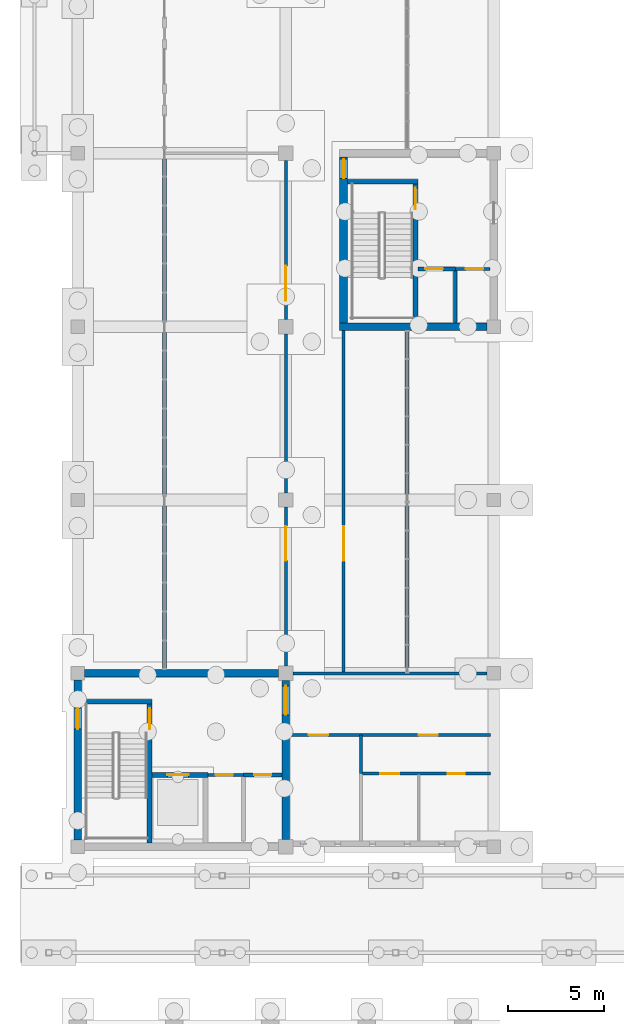
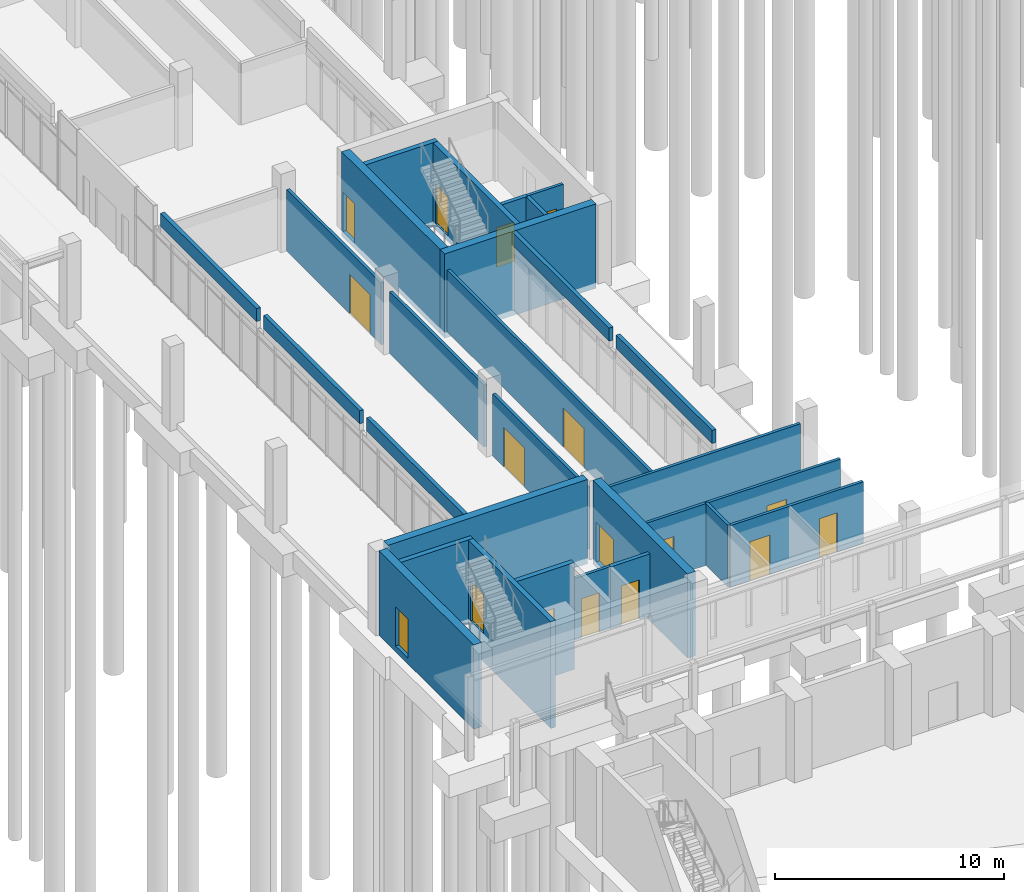
# One storey, part 71 of 106: 28 walls, 17 doors, 17 openings.
"""IFC4 building model written with IfcOpenShell, lengths in metres."""

from ifc_helpers import new_model, si_unit, direction, frame, frame_2d, origin, place, context, subcontext, project, spatial, rectangle, extrude, material, layer, layer_set, type_object, element, fill, save


model = new_model("IFC4")

# Units and contexts
model_context = context("Model", 3, precision=1e-05, world=origin(), true_north=direction((0.0, 1.0)))
body_context = subcontext(model_context, "Body", "Model", "MODEL_VIEW")
ifc_project = project(units=[si_unit("LENGTHUNIT", "METRE"), si_unit("AREAUNIT", "SQUARE_METRE"), si_unit("VOLUMEUNIT", "CUBIC_METRE"), si_unit("PLANEANGLEUNIT", "RADIAN"), si_unit("MASSUNIT", "GRAM", prefix="KILO")], contexts=[model_context])

# Site, building, storey
site_placement = place(None, origin())
site = spatial("IfcSite", under=ifc_project, at=site_placement, CompositionType="ELEMENT")
building_placement = place(site_placement, origin())
building = spatial("IfcBuilding", under=site, at=building_placement, Name="Merrow Basin Faculty of Sciences", CompositionType="ELEMENT")
storey_placement = place(building_placement, origin())
storey = spatial("IfcBuildingStorey", under=building, at=storey_placement, Name="L00", CompositionType="ELEMENT", Elevation=0.0)

# Wall, opening, door
ifc_material_1 = material(Name="Fire-rated gypsum board")
ifc_layer_1 = layer(ifc_material_1, 0.14990234375)
ifc_layer_set_1 = layer_set([ifc_layer_1], Name="Corridor partition 150 fire-rated board on steel studs")
wall_type_1 = type_object("IfcWallType", Name="Corridor partition 150 fire-rated board on steel studs", PredefinedType="PARTITIONING", material=ifc_layer_set_1)
wall_1_placement = place(storey_placement, frame((10.800048828125, 70.375, 0.0), z_axis=(0.0, 0.0, 1.0), x_axis=(0.0, 1.0, 0.0)))
wall_1 = element("IfcWall", 1, at=wall_1_placement, inside=storey, type_object=wall_type_1, Name="IW151 L00 006", PredefinedType="PARTITIONING", context=body_context, shape_type="SweptSolid", body=[
    extrude(rectangle(XDim=8.25, YDim=0.14990234375, at=frame_2d((4.125, 0.0))), origin(), (0.0, 0.0, 1.0), 3.300048828125),
])
opening_1_placement = place(wall_1_placement, frame((5.47509765625, 0.0, 0.0)))
opening_1 = element("IfcOpeningElement", 2, at=opening_1_placement, cuts=wall_1, Name="Opening D00B019", PredefinedType="OPENING", context=body_context, shape_type="SweptSolid", body=[
    extrude(rectangle(XDim=1.800048828125, YDim=2.10009765625, at=frame_2d((0.89990234375, 1.050048828125))), frame((0.0, 0.0849609375, 0.0), z_axis=(0.0, -1.0, 0.0), x_axis=(1.0, 0.0, 0.0)), (0.0, 0.0, 1.0), 0.169921875),
])
ifc_material_2 = material(Name="Glazed aluminium door", Category="aluminium")
door_type_1 = type_object("IfcDoorType", Name="Double swing door 1800 x 2100", OperationType="NOTDEFINED", PredefinedType="DOOR", material=ifc_material_2)
door_1_placement = place(opening_1_placement, origin())
door_1 = element("IfcDoor", 3, at=door_1_placement, inside=storey, type_object=door_type_1, Name="Door D00B019", OperationType="DOUBLE_DOOR_SINGLE_SWING", OverallHeight=2.10009765625, OverallWidth=1.800048828125, PredefinedType="DOOR", context=body_context, shape_type="SweptSolid", body=[
    extrude(rectangle(XDim=1.800048828125, YDim=2.10009765625, at=frame_2d((0.89990234375, 1.050048828125))), frame((0.0, 0.02490234375, 0.0), z_axis=(0.0, -1.0, 0.0), x_axis=(1.0, 0.0, 0.0)), (0.0, 0.0, 1.0), 0.050048828125),
])
fill(opening_1, door_1)

# Wall
wall_2_placement = place(storey_placement, frame((10.800048828125, 79.375, 0.0), z_axis=(0.0, 0.0, 1.0), x_axis=(0.0, 1.0, 0.0)))
element("IfcWall", 4, at=wall_2_placement, inside=storey, type_object=wall_type_1, Name="IW151 L00 007", PredefinedType="PARTITIONING", context=body_context, shape_type="SweptSolid", body=[
    extrude(rectangle(XDim=8.25, YDim=0.14990234375, at=frame_2d((4.125, 0.0))), origin(), (0.0, 0.0, 1.0), 3.300048828125),
])

# Wall, opening, door
wall_3_placement = place(storey_placement, frame((10.800048828125, 88.375, 0.0), z_axis=(0.0, 0.0, 1.0), x_axis=(0.0, 1.0, 0.0)))
wall_3 = element("IfcWall", 5, at=wall_3_placement, inside=storey, type_object=wall_type_1, Name="IW151 L00 008", PredefinedType="PARTITIONING", context=body_context, shape_type="SweptSolid", body=[
    extrude(rectangle(XDim=8.25, YDim=0.14990234375, at=frame_2d((4.125, 0.0))), origin(), (0.0, 0.0, 1.0), 3.300048828125),
])
opening_2_placement = place(wall_3_placement, frame((0.97509765625, 0.0, 0.0)))
opening_2 = element("IfcOpeningElement", 6, at=opening_2_placement, cuts=wall_3, Name="Opening D00B020", PredefinedType="OPENING", context=body_context, shape_type="SweptSolid", body=[
    extrude(rectangle(XDim=1.800048828125, YDim=2.10009765625, at=frame_2d((0.89990234375, 1.050048828125))), frame((0.0, 0.0849609375, 0.0), z_axis=(0.0, -1.0, 0.0), x_axis=(1.0, 0.0, 0.0)), (0.0, 0.0, 1.0), 0.169921875),
])
door_2_placement = place(opening_2_placement, origin())
door_2 = element("IfcDoor", 7, at=door_2_placement, inside=storey, type_object=door_type_1, Name="Door D00B020", OperationType="DOUBLE_DOOR_SINGLE_SWING", OverallHeight=2.10009765625, OverallWidth=1.800048828125, PredefinedType="DOOR", context=body_context, shape_type="SweptSolid", body=[
    extrude(rectangle(XDim=1.800048828125, YDim=2.10009765625, at=frame_2d((0.89990234375, 1.050048828125))), frame((0.0, 0.02490234375, 0.0), z_axis=(0.0, -1.0, 0.0), x_axis=(1.0, 0.0, 0.0)), (0.0, 0.0, 1.0), 0.050048828125),
])
fill(opening_2, door_2)

wall_4_placement = place(storey_placement, frame((13.800048828125, 70.0, 0.0), z_axis=(0.0, 0.0, 1.0), x_axis=(0.0, 1.0, 0.0)))
wall_4 = element("IfcWall", 8, at=wall_4_placement, inside=storey, type_object=wall_type_1, Name="IW151 L00 011", PredefinedType="PARTITIONING", context=body_context, shape_type="SweptSolid", body=[
    extrude(rectangle(XDim=17.800048828125, YDim=0.14990234375, at=frame_2d((8.89990234375, 0.0))), origin(), (0.0, 0.0, 1.0), 3.300048828125),
])
opening_3_placement = place(wall_4_placement, frame((5.85009765625, 0.0, 0.0)))
opening_3 = element("IfcOpeningElement", 9, at=opening_3_placement, cuts=wall_4, Name="Opening D00B018", PredefinedType="OPENING", context=body_context, shape_type="SweptSolid", body=[
    extrude(rectangle(XDim=1.800048828125, YDim=2.10009765625, at=frame_2d((0.89990234375, 1.050048828125))), frame((0.0, 0.0849609375, 0.0), z_axis=(0.0, -1.0, 0.0), x_axis=(1.0, 0.0, 0.0)), (0.0, 0.0, 1.0), 0.169921875),
])
door_3_placement = place(opening_3_placement, origin())
door_3 = element("IfcDoor", 10, at=door_3_placement, inside=storey, type_object=door_type_1, Name="Door D00B018", OperationType="DOUBLE_DOOR_SINGLE_SWING", OverallHeight=2.10009765625, OverallWidth=1.800048828125, PredefinedType="DOOR", context=body_context, shape_type="SweptSolid", body=[
    extrude(rectangle(XDim=1.800048828125, YDim=2.10009765625, at=frame_2d((0.89990234375, 1.050048828125))), frame((0.0, 0.02490234375, 0.0), z_axis=(0.0, -1.0, 0.0), x_axis=(1.0, 0.0, 0.0)), (0.0, 0.0, 1.0), 0.050048828125),
])
fill(opening_3, door_3)

# Wall
wall_5_placement = place(storey_placement, frame((14.699951171875, 64.800048828125, 0.0), z_axis=(0.0, 0.0, 1.0), x_axis=(0.0, 1.0, 0.0)))
element("IfcWall", 11, at=wall_5_placement, inside=storey, type_object=wall_type_1, Name="IW151 L00 013", PredefinedType="PARTITIONING", context=body_context, shape_type="SweptSolid", body=[
    extrude(rectangle(XDim=2.0, YDim=0.14990234375, at=frame_2d((1.0, 0.0))), origin(), (0.0, 0.0, 1.0), 3.300048828125),
])

# Wall, opening, door
wall_6_placement = place(storey_placement, frame((6.75, 64.72509765625, 0.0), z_axis=(0.0, 0.0, 1.0), x_axis=(1.0, 0.0, 0.0)))
wall_6 = element("IfcWall", 12, at=wall_6_placement, inside=storey, type_object=wall_type_1, Name="IW151 L00 014", PredefinedType="PARTITIONING", context=body_context, shape_type="SweptSolid", body=[
    extrude(rectangle(XDim=1.85009765625, YDim=0.14990234375, at=frame_2d((0.925048828125, 0.0))), origin(), (0.0, 0.0, 1.0), 3.300048828125),
])
opening_4_placement = place(wall_6_placement, frame((0.39990234375, 0.0, 0.0)))
opening_4 = element("IfcOpeningElement", 13, at=opening_4_placement, cuts=wall_6, Name="Opening D00B003", PredefinedType="OPENING", context=body_context, shape_type="SweptSolid", body=[
    extrude(rectangle(XDim=0.89990234375, YDim=2.10009765625, at=frame_2d((0.449951171875, 1.050048828125))), frame((0.0, 0.0849609375, 0.0), z_axis=(0.0, -1.0, 0.0), x_axis=(1.0, 0.0, 0.0)), (0.0, 0.0, 1.0), 0.169921875),
])
ifc_material_3 = material(Name="Fire-rated steel door", Category="steel")
door_type_2 = type_object("IfcDoorType", Name="Fire door FD60 900 x 2100", OperationType="NOTDEFINED", PredefinedType="DOOR", material=ifc_material_3)
door_4_placement = place(opening_4_placement, origin())
door_4 = element("IfcDoor", 14, at=door_4_placement, inside=storey, type_object=door_type_2, Name="Door D00B003", OperationType="SINGLE_SWING_LEFT", OverallHeight=2.10009765625, OverallWidth=0.89990234375, PredefinedType="DOOR", context=body_context, shape_type="SweptSolid", body=[
    extrude(rectangle(XDim=0.89990234375, YDim=2.10009765625, at=frame_2d((0.449951171875, 1.050048828125))), frame((0.0, 0.02490234375, 0.0), z_axis=(0.0, -1.0, 0.0), x_axis=(1.0, 0.0, 0.0)), (0.0, 0.0, 1.0), 0.050048828125),
])
fill(opening_4, door_4)

# Wall, openings, doors
wall_7_placement = place(storey_placement, frame((14.699951171875, 64.800048828125, 0.0), z_axis=(0.0, 0.0, 1.0), x_axis=(1.0, 0.0, 0.0)))
wall_7 = element("IfcWall", 15, at=wall_7_placement, inside=storey, type_object=wall_type_1, Name="IW151 L00 015", PredefinedType="PARTITIONING", context=body_context, shape_type="SweptSolid", body=[
    extrude(rectangle(XDim=6.719970703125, YDim=0.14990234375, at=frame_2d((3.35986328125, 0.0))), origin(), (0.0, 0.0, 1.0), 3.300048828125),
])
opening_5_placement = place(wall_7_placement, frame((1.0, 0.0, 0.0)))
opening_5 = element("IfcOpeningElement", 16, at=opening_5_placement, cuts=wall_7, Name="Opening D00B015", PredefinedType="OPENING", context=body_context, shape_type="SweptSolid", body=[
    extrude(rectangle(XDim=1.0, YDim=2.10009765625, at=frame_2d((0.5, 1.050048828125))), frame((0.0, 0.0849609375, 0.0), z_axis=(0.0, -1.0, 0.0), x_axis=(1.0, 0.0, 0.0)), (0.0, 0.0, 1.0), 0.169921875),
])
opening_6_placement = place(wall_7_placement, frame((4.5, 0.0, 0.0)))
opening_6 = element("IfcOpeningElement", 17, at=opening_6_placement, cuts=wall_7, Name="Opening D00B016", PredefinedType="OPENING", context=body_context, shape_type="SweptSolid", body=[
    extrude(rectangle(XDim=0.89990234375, YDim=2.10009765625, at=frame_2d((0.449951171875, 1.050048828125))), frame((0.0, 0.0849609375, 0.0), z_axis=(0.0, -1.0, 0.0), x_axis=(1.0, 0.0, 0.0)), (0.0, 0.0, 1.0), 0.169921875),
])
ifc_material_4 = material(Name="Timber door leaf", Category="wood")
door_type_3 = type_object("IfcDoorType", Name="Accessible door 1000 x 2100", OperationType="NOTDEFINED", PredefinedType="DOOR", material=ifc_material_4)
door_5_placement = place(opening_5_placement, origin())
door_5 = element("IfcDoor", 18, at=door_5_placement, inside=storey, type_object=door_type_3, Name="Door D00B015", OperationType="SINGLE_SWING_LEFT", OverallHeight=2.10009765625, OverallWidth=1.0, PredefinedType="DOOR", context=body_context, shape_type="SweptSolid", body=[
    extrude(rectangle(XDim=1.0, YDim=2.10009765625, at=frame_2d((0.5, 1.050048828125))), frame((0.0, 0.02490234375, 0.0), z_axis=(0.0, -1.0, 0.0), x_axis=(1.0, 0.0, 0.0)), (0.0, 0.0, 1.0), 0.050048828125),
])
fill(opening_5, door_5)
ifc_material_5 = material(Name="Timber door leaf", Category="wood")
door_type_4 = type_object("IfcDoorType", Name="Single swing door 900 x 2100", OperationType="NOTDEFINED", PredefinedType="DOOR", material=ifc_material_5)
door_6_placement = place(opening_6_placement, origin())
door_6 = element("IfcDoor", 19, at=door_6_placement, inside=storey, type_object=door_type_4, Name="Door D00B016", OperationType="SINGLE_SWING_LEFT", OverallHeight=2.10009765625, OverallWidth=0.89990234375, PredefinedType="DOOR", context=body_context, shape_type="SweptSolid", body=[
    extrude(rectangle(XDim=0.89990234375, YDim=2.10009765625, at=frame_2d((0.449951171875, 1.050048828125))), frame((0.0, 0.02490234375, 0.0), z_axis=(0.0, -1.0, 0.0), x_axis=(1.0, 0.0, 0.0)), (0.0, 0.0, 1.0), 0.050048828125),
])
fill(opening_6, door_6)

wall_8_placement = place(storey_placement, frame((11.0, 66.800048828125, 0.0), z_axis=(0.0, 0.0, 1.0), x_axis=(1.0, 0.0, 0.0)))
wall_8 = element("IfcWall", 20, at=wall_8_placement, inside=storey, type_object=wall_type_1, Name="IW151 L00 016", PredefinedType="PARTITIONING", context=body_context, shape_type="SweptSolid", body=[
    extrude(rectangle(XDim=10.419921875, YDim=0.14990234375, at=frame_2d((5.2099609375, 0.0))), origin(), (0.0, 0.0, 1.0), 3.300048828125),
])
opening_7_placement = place(wall_8_placement, frame((1.0, 0.0, 0.0)))
opening_7 = element("IfcOpeningElement", 21, at=opening_7_placement, cuts=wall_8, Name="Opening D00B014", PredefinedType="OPENING", context=body_context, shape_type="SweptSolid", body=[
    extrude(rectangle(XDim=1.0, YDim=2.10009765625, at=frame_2d((0.5, 1.050048828125))), frame((0.0, 0.0849609375, 0.0), z_axis=(0.0, -1.0, 0.0), x_axis=(1.0, 0.0, 0.0)), (0.0, 0.0, 1.0), 0.169921875),
])
opening_8_placement = place(wall_8_placement, frame((6.699951171875, 0.0, 0.0)))
opening_8 = element("IfcOpeningElement", 22, at=opening_8_placement, cuts=wall_8, Name="Opening D00B017", PredefinedType="OPENING", context=body_context, shape_type="SweptSolid", body=[
    extrude(rectangle(XDim=1.0, YDim=2.10009765625, at=frame_2d((0.5, 1.050048828125))), frame((0.0, 0.0849609375, 0.0), z_axis=(0.0, -1.0, 0.0), x_axis=(1.0, 0.0, 0.0)), (0.0, 0.0, 1.0), 0.169921875),
])
ifc_material_6 = material(Name="Fire-rated steel door", Category="steel")
door_type_5 = type_object("IfcDoorType", Name="Fire door FD60 1000 x 2100", OperationType="NOTDEFINED", PredefinedType="DOOR", material=ifc_material_6)
door_7_placement = place(opening_7_placement, origin())
door_7 = element("IfcDoor", 23, at=door_7_placement, inside=storey, type_object=door_type_5, Name="Door D00B014", OperationType="SINGLE_SWING_LEFT", OverallHeight=2.10009765625, OverallWidth=1.0, PredefinedType="DOOR", context=body_context, shape_type="SweptSolid", body=[
    extrude(rectangle(XDim=1.0, YDim=2.10009765625, at=frame_2d((0.5, 1.050048828125))), frame((0.0, 0.02490234375, 0.0), z_axis=(0.0, -1.0, 0.0), x_axis=(1.0, 0.0, 0.0)), (0.0, 0.0, 1.0), 0.050048828125),
])
fill(opening_7, door_7)
ifc_material_7 = material(Name="Timber door leaf", Category="wood")
door_type_6 = type_object("IfcDoorType", Name="Single swing door 1000 x 2100", OperationType="NOTDEFINED", PredefinedType="DOOR", material=ifc_material_7)
door_8_placement = place(opening_8_placement, origin())
door_8 = element("IfcDoor", 24, at=door_8_placement, inside=storey, type_object=door_type_6, Name="Door D00B017", OperationType="SINGLE_SWING_RIGHT", OverallHeight=2.10009765625, OverallWidth=1.0, PredefinedType="DOOR", context=body_context, shape_type="SweptSolid", body=[
    extrude(rectangle(XDim=1.0, YDim=2.10009765625, at=frame_2d((0.5, 1.050048828125))), frame((0.0, 0.02490234375, 0.0), z_axis=(0.0, -1.0, 0.0), x_axis=(1.0, 0.0, 0.0)), (0.0, 0.0, 1.0), 0.050048828125),
])
fill(opening_8, door_8)

# Wall
wall_9_placement = place(storey_placement, frame((11.175048828125, 70.0, 0.0), z_axis=(0.0, 0.0, 1.0), x_axis=(1.0, 0.0, 0.0)))
element("IfcWall", 25, at=wall_9_placement, inside=storey, type_object=wall_type_1, Name="IW151 L00 017", PredefinedType="PARTITIONING", context=body_context, shape_type="SweptSolid", body=[
    extrude(rectangle(XDim=10.074951171875, YDim=0.14990234375, at=frame_2d((5.03759765625, 0.0))), origin(), (0.0, 0.0, 1.0), 3.300048828125),
])

# Wall, opening, door
wall_10_placement = place(storey_placement, frame((19.60009765625, 91.0, 0.0), z_axis=(0.0, 0.0, 1.0), x_axis=(1.0, 0.0, 0.0)))
wall_10 = element("IfcWall", 26, at=wall_10_placement, inside=storey, type_object=wall_type_1, Name="IW151 L00 018", PredefinedType="PARTITIONING", context=body_context, shape_type="SweptSolid", body=[
    extrude(rectangle(XDim=1.7998046875, YDim=0.14990234375, at=frame_2d((0.89990234375, 0.0))), origin(), (0.0, 0.0, 1.0), 3.300048828125),
])
opening_9_placement = place(wall_10_placement, frame((0.550048828125, 0.0, 0.0)))
opening_9 = element("IfcOpeningElement", 27, at=opening_9_placement, cuts=wall_10, Name="Opening D00B010", PredefinedType="OPENING", context=body_context, shape_type="SweptSolid", body=[
    extrude(rectangle(XDim=0.89990234375, YDim=2.10009765625, at=frame_2d((0.449951171875, 1.050048828125))), frame((0.0, 0.0849609375, 0.0), z_axis=(0.0, -1.0, 0.0), x_axis=(1.0, 0.0, 0.0)), (0.0, 0.0, 1.0), 0.169921875),
])
door_9_placement = place(opening_9_placement, origin())
door_9 = element("IfcDoor", 28, at=door_9_placement, inside=storey, type_object=door_type_2, Name="Door D00B010", OperationType="SINGLE_SWING_RIGHT", OverallHeight=2.10009765625, OverallWidth=0.89990234375, PredefinedType="DOOR", context=body_context, shape_type="SweptSolid", body=[
    extrude(rectangle(XDim=0.89990234375, YDim=2.10009765625, at=frame_2d((0.449951171875, 1.050048828125))), frame((0.0, 0.02490234375, 0.0), z_axis=(0.0, -1.0, 0.0), x_axis=(1.0, 0.0, 0.0)), (0.0, 0.0, 1.0), 0.050048828125),
])
fill(opening_9, door_9)

# Walls
ifc_material_8 = material(Name="Precast concrete C40/50", Category="concrete")
ifc_layer_2 = layer(ifc_material_8, 0.199951171875)
ifc_layer_set_2 = layer_set([ifc_layer_2], Name="Recess fascia 200 Precast concrete C40/50")
wall_type_2 = type_object("IfcWallType", Name="Recess fascia 200 Precast concrete C40/50", PredefinedType="STANDARD", material=ifc_layer_set_2)
wall_11_placement = place(storey_placement, frame((4.5, 70.199951171875, 3.5), z_axis=(0.0, 0.0, 1.0), x_axis=(0.0, 1.0, 0.0)))
element("IfcWall", 29, at=wall_11_placement, inside=storey, type_object=wall_type_2, Name="Recess fascia wall", PredefinedType="STANDARD", context=body_context, shape_type="SweptSolid", body=[
    extrude(rectangle(XDim=8.5, YDim=0.199951171875, at=frame_2d((4.25, 0.0))), origin(), (0.0, 0.0, 1.0), 0.699951171875),
])
for number, where, z_axis, x_axis, name in (
    (30, (4.5, 79.300048828125, 3.5), (0.0, 0.0, 1.0), (0.0, 1.0, 0.0), "Recess fascia wall"),
    (31, (4.5, 88.300048828125, 3.5), (0.0, 0.0, 1.0), (0.0, 1.0, 0.0), "Recess fascia wall"),
    (32, (17.10009765625, 70.300048828125, 3.5), (0.0, 0.0, 1.0), (0.0, 1.0, 0.0), "Recess fascia wall"),
):
    element("IfcWall", number, at=place(storey_placement, frame(where, z_axis=z_axis, x_axis=x_axis)), inside=storey, type_object=wall_type_2, Name=name, PredefinedType="STANDARD", context=body_context, shape_type="SweptSolid", body=[
        extrude(rectangle(XDim=8.39990234375, YDim=0.199951171875, at=frame_2d((4.199951171875, 0.0))), origin(), (0.0, 0.0, 1.0), 0.699951171875),
    ])
wall_12_placement = place(storey_placement, frame((17.10009765625, 79.300048828125, 3.5), z_axis=(0.0, 0.0, 1.0), x_axis=(0.0, 1.0, 0.0)))
element("IfcWall", 33, at=wall_12_placement, inside=storey, type_object=wall_type_2, Name="Recess fascia wall", PredefinedType="STANDARD", context=body_context, shape_type="SweptSolid", body=[
    extrude(rectangle(XDim=8.5, YDim=0.199951171875, at=frame_2d((4.25, 0.0))), origin(), (0.0, 0.0, 1.0), 0.699951171875),
])
ifc_material_9 = material(Name="Fire-rated gypsum board")
ifc_layer_3 = layer(ifc_material_9, 0.199951171875)
ifc_layer_set_3 = layer_set([ifc_layer_3], Name="Riser lining 200 fire-rated board on steel studs")
wall_type_3 = type_object("IfcWallType", Name="Riser lining 200 fire-rated board on steel studs", PredefinedType="PARTITIONING", material=ifc_layer_set_3)
wall_13_placement = place(storey_placement, frame((19.60009765625, 88.199951171875, 0.0), z_axis=(0.0, 0.0, 1.0), x_axis=(0.0, 1.0, 0.0)))
element("IfcWall", 34, at=wall_13_placement, inside=storey, type_object=wall_type_3, Name="IW200 L00 002", PredefinedType="PARTITIONING", context=body_context, shape_type="SweptSolid", body=[
    extrude(rectangle(XDim=2.800048828125, YDim=0.199951171875, at=frame_2d((1.39990234375, 0.0))), origin(), (0.0, 0.0, 1.0), 3.300048828125),
])

# Wall, opening, door
wall_14_placement = place(storey_placement, frame((8.60009765625, 64.72509765625, 0.0), z_axis=(0.0, 0.0, 1.0), x_axis=(1.0, 0.0, 0.0)))
wall_14 = element("IfcWall", 35, at=wall_14_placement, inside=storey, type_object=wall_type_3, Name="IW200 L00 003", PredefinedType="PARTITIONING", context=body_context, shape_type="SweptSolid", body=[
    extrude(rectangle(XDim=2.0, YDim=0.199951171875, at=frame_2d((1.0, 0.0))), origin(), (0.0, 0.0, 1.0), 3.300048828125),
])
opening_10_placement = place(wall_14_placement, frame((0.550048828125, 0.0, 0.0)))
opening_10 = element("IfcOpeningElement", 36, at=opening_10_placement, cuts=wall_14, Name="Opening D00B004", PredefinedType="OPENING", context=body_context, shape_type="SweptSolid", body=[
    extrude(rectangle(XDim=0.89990234375, YDim=2.10009765625, at=frame_2d((0.449951171875, 1.050048828125))), frame((0.0, 0.10986328125, 0.0), z_axis=(0.0, -1.0, 0.0), x_axis=(1.0, 0.0, 0.0)), (0.0, 0.0, 1.0), 0.219970703125),
])
door_10_placement = place(opening_10_placement, origin())
door_10 = element("IfcDoor", 37, at=door_10_placement, inside=storey, type_object=door_type_2, Name="Door D00B004", OperationType="SINGLE_SWING_LEFT", OverallHeight=2.10009765625, OverallWidth=0.89990234375, PredefinedType="DOOR", context=body_context, shape_type="SweptSolid", body=[
    extrude(rectangle(XDim=0.89990234375, YDim=2.10009765625, at=frame_2d((0.449951171875, 1.050048828125))), frame((0.0, 0.02490234375, 0.0), z_axis=(0.0, -1.0, 0.0), x_axis=(1.0, 0.0, 0.0)), (0.0, 0.0, 1.0), 0.050048828125),
])
fill(opening_10, door_10)

wall_15_placement = place(storey_placement, frame((17.64990234375, 91.0, 0.0), z_axis=(0.0, 0.0, 1.0), x_axis=(1.0, 0.0, 0.0)))
wall_15 = element("IfcWall", 38, at=wall_15_placement, inside=storey, type_object=wall_type_3, Name="IW200 L00 004", PredefinedType="PARTITIONING", context=body_context, shape_type="SweptSolid", body=[
    extrude(rectangle(XDim=1.9501953125, YDim=0.199951171875, at=frame_2d((0.97509765625, 0.0))), origin(), (0.0, 0.0, 1.0), 3.300048828125),
])
opening_11_placement = place(wall_15_placement, frame((0.39990234375, 0.0, 0.0)))
opening_11 = element("IfcOpeningElement", 39, at=opening_11_placement, cuts=wall_15, Name="Opening D00B009", PredefinedType="OPENING", context=body_context, shape_type="SweptSolid", body=[
    extrude(rectangle(XDim=0.89990234375, YDim=2.10009765625, at=frame_2d((0.449951171875, 1.050048828125))), frame((0.0, 0.10986328125, 0.0), z_axis=(0.0, -1.0, 0.0), x_axis=(1.0, 0.0, 0.0)), (0.0, 0.0, 1.0), 0.219970703125),
])
door_11_placement = place(opening_11_placement, origin())
door_11 = element("IfcDoor", 40, at=door_11_placement, inside=storey, type_object=door_type_2, Name="Door D00B009", OperationType="SINGLE_SWING_LEFT", OverallHeight=2.10009765625, OverallWidth=0.89990234375, PredefinedType="DOOR", context=body_context, shape_type="SweptSolid", body=[
    extrude(rectangle(XDim=0.89990234375, YDim=2.10009765625, at=frame_2d((0.449951171875, 1.050048828125))), frame((0.0, 0.02490234375, 0.0), z_axis=(0.0, -1.0, 0.0), x_axis=(1.0, 0.0, 0.0)), (0.0, 0.0, 1.0), 0.050048828125),
])
fill(opening_11, door_11)

# Wall
ifc_material_10 = material(Name="Concrete C40/50", Category="concrete")
ifc_layer_4 = layer(ifc_material_10, 0.25)
ifc_layer_set_4 = layer_set([ifc_layer_4], Name="Shear wall 250 Concrete C40/50")
wall_type_4 = type_object("IfcWallType", Name="Shear wall 250 Concrete C40/50", PredefinedType="SHEAR", material=ifc_layer_set_4)
wall_16_placement = place(storey_placement, frame((0.199951171875, 68.52490234375, -0.300048828125), z_axis=(0.0, 0.0, 1.0), x_axis=(1.0, 0.0, 0.0)))
element("IfcWall", 41, at=wall_16_placement, inside=storey, type_object=wall_type_4, Name="SW2 L00 005", PredefinedType="SHEAR", context=body_context, shape_type="SweptSolid", body=[
    extrude(rectangle(XDim=3.650146484375, YDim=0.25, at=frame_2d((1.8251953125, 0.0))), origin(), (0.0, 0.0, 1.0), 4.5),
])

# Wall, opening, door
wall_17_placement = place(storey_placement, frame((3.72509765625, 61.199951171875, -1.5), z_axis=(0.0, 0.0, 1.0), x_axis=(0.0, 1.0, 0.0)))
wall_17 = element("IfcWall", 42, at=wall_17_placement, inside=storey, type_object=wall_type_4, Name="SW2 L00 006", PredefinedType="SHEAR", context=body_context, shape_type="SweptSolid", body=[
    extrude(rectangle(XDim=7.199951171875, YDim=0.25, at=frame_2d((3.60009765625, 0.0))), origin(), (0.0, 0.0, 1.0), 5.699951171875),
])
opening_12_placement = place(wall_17_placement, frame((5.89990234375, 0.0, 1.5)))
opening_12 = element("IfcOpeningElement", 43, at=opening_12_placement, cuts=wall_17, Name="Opening D00B001", PredefinedType="OPENING", context=body_context, shape_type="SweptSolid", body=[
    extrude(rectangle(XDim=1.10009765625, YDim=2.10009765625, at=frame_2d((0.550048828125, 1.050048828125))), frame((0.0, 0.135009765625, 0.0), z_axis=(0.0, -1.0, 0.0), x_axis=(1.0, 0.0, 0.0)), (0.0, 0.0, 1.0), 0.27001953125),
])
ifc_material_11 = material(Name="Fire-rated steel door", Category="steel")
door_type_7 = type_object("IfcDoorType", Name="Fire door FD90 1100 x 2100", OperationType="NOTDEFINED", PredefinedType="DOOR", material=ifc_material_11)
door_12_placement = place(opening_12_placement, origin())
door_12 = element("IfcDoor", 44, at=door_12_placement, inside=storey, type_object=door_type_7, Name="Stair S door", OperationType="SINGLE_SWING_RIGHT", OverallHeight=2.10009765625, OverallWidth=1.10009765625, PredefinedType="DOOR", context=body_context, shape_type="SweptSolid", body=[
    extrude(rectangle(XDim=1.10009765625, YDim=2.10009765625, at=frame_2d((0.550048828125, 1.050048828125))), frame((0.0, 0.02490234375, 0.0), z_axis=(0.0, -1.0, 0.0), x_axis=(1.0, 0.0, 0.0)), (0.0, 0.0, 1.0), 0.050048828125),
])
fill(opening_12, door_12)

wall_18_placement = place(storey_placement, frame((3.85009765625, 64.72509765625, -1.5), z_axis=(0.0, 0.0, 1.0), x_axis=(1.0, 0.0, 0.0)))
wall_18 = element("IfcWall", 45, at=wall_18_placement, inside=storey, type_object=wall_type_4, Name="SW2 L00 007", PredefinedType="SHEAR", context=body_context, shape_type="SweptSolid", body=[
    extrude(rectangle(XDim=2.89990234375, YDim=0.25, at=frame_2d((1.449951171875, 0.0))), origin(), (0.0, 0.0, 1.0), 5.699951171875),
])
opening_13_placement = place(wall_18_placement, frame((0.800048828125, 0.0, 1.5)))
opening_13 = element("IfcOpeningElement", 46, at=opening_13_placement, cuts=wall_18, Name="Opening LD00B01", PredefinedType="OPENING", context=body_context, shape_type="SweptSolid", body=[
    extrude(rectangle(XDim=1.10009765625, YDim=2.10009765625, at=frame_2d((0.550048828125, 1.050048828125))), frame((0.0, 0.135009765625, 0.0), z_axis=(0.0, -1.0, 0.0), x_axis=(1.0, 0.0, 0.0)), (0.0, 0.0, 1.0), 0.27001953125),
])
ifc_material_12 = material(Name="Stainless steel sliding door", Category="steel")
door_type_8 = type_object("IfcDoorType", Name="Lift landing door 1100 x 2100 sliding", OperationType="NOTDEFINED", PredefinedType="DOOR", material=ifc_material_12)
door_13_placement = place(opening_13_placement, origin())
door_13 = element("IfcDoor", 47, at=door_13_placement, inside=storey, type_object=door_type_8, Name="Landing door LF1 L00", OperationType="SLIDING_TO_LEFT", OverallHeight=2.10009765625, OverallWidth=1.10009765625, PredefinedType="DOOR", context=body_context, shape_type="SweptSolid", body=[
    extrude(rectangle(XDim=1.10009765625, YDim=2.10009765625, at=frame_2d((0.550048828125, 1.050048828125))), frame((0.0, 0.02490234375, 0.0), z_axis=(0.0, -1.0, 0.0), x_axis=(1.0, 0.0, 0.0)), (0.0, 0.0, 1.0), 0.050048828125),
])
fill(opening_13, door_13)

# Wall
wall_19_placement = place(storey_placement, frame((14.0, 95.52490234375, -0.300048828125), z_axis=(0.0, 0.0, 1.0), x_axis=(1.0, 0.0, 0.0)))
element("IfcWall", 48, at=wall_19_placement, inside=storey, type_object=wall_type_4, Name="SW2 L00 013", PredefinedType="SHEAR", context=body_context, shape_type="SweptSolid", body=[
    extrude(rectangle(XDim=3.64990234375, YDim=0.25, at=frame_2d((1.824951171875, 0.0))), origin(), (0.0, 0.0, 1.0), 4.5),
])

# Wall, opening, door
wall_20_placement = place(storey_placement, frame((17.52490234375, 88.199951171875, -0.300048828125), z_axis=(0.0, 0.0, 1.0), x_axis=(0.0, 1.0, 0.0)))
wall_20 = element("IfcWall", 49, at=wall_20_placement, inside=storey, type_object=wall_type_4, Name="SW2 L00 014", PredefinedType="SHEAR", context=body_context, shape_type="SweptSolid", body=[
    extrude(rectangle(XDim=7.199951171875, YDim=0.25, at=frame_2d((3.60009765625, 0.0))), origin(), (0.0, 0.0, 1.0), 4.5),
])
opening_14_placement = place(wall_20_placement, frame((5.89990234375, 0.0, 0.300048828125)))
opening_14 = element("IfcOpeningElement", 50, at=opening_14_placement, cuts=wall_20, Name="Opening D00B006", PredefinedType="OPENING", context=body_context, shape_type="SweptSolid", body=[
    extrude(rectangle(XDim=1.10009765625, YDim=2.10009765625, at=frame_2d((0.550048828125, 1.050048828125))), frame((0.0, 0.135009765625, 0.0), z_axis=(0.0, -1.0, 0.0), x_axis=(1.0, 0.0, 0.0)), (0.0, 0.0, 1.0), 0.27001953125),
])
door_14_placement = place(opening_14_placement, origin())
door_14 = element("IfcDoor", 51, at=door_14_placement, inside=storey, type_object=door_type_7, Name="Door D00B006", OperationType="SINGLE_SWING_RIGHT", OverallHeight=2.10009765625, OverallWidth=1.10009765625, PredefinedType="DOOR", context=body_context, shape_type="SweptSolid", body=[
    extrude(rectangle(XDim=1.10009765625, YDim=2.10009765625, at=frame_2d((0.550048828125, 1.050048828125))), frame((0.0, 0.02490234375, 0.0), z_axis=(0.0, -1.0, 0.0), x_axis=(1.0, 0.0, 0.0)), (0.0, 0.0, 1.0), 0.050048828125),
])
fill(opening_14, door_14)

# Wall
ifc_material_13 = material(Name="Concrete C40/50", Category="concrete")
ifc_layer_5 = layer(ifc_material_13, 0.39990234375)
ifc_layer_set_5 = layer_set([ifc_layer_5], Name="Shear wall 400 Concrete C40/50")
wall_type_5 = type_object("IfcWallType", Name="Shear wall 400 Concrete C40/50", PredefinedType="SHEAR", material=ifc_layer_set_5)
wall_21_placement = place(storey_placement, frame((0.35009765625, 70.0, -0.300048828125), z_axis=(0.0, 0.0, 1.0), x_axis=(1.0, 0.0, 0.0)))
element("IfcWall", 52, at=wall_21_placement, inside=storey, type_object=wall_type_5, Name="SW1 L00 002", PredefinedType="SHEAR", context=body_context, shape_type="SweptSolid", body=[
    extrude(rectangle(XDim=10.074951171875, YDim=0.39990234375, at=frame_2d((5.03759765625, 0.0))), origin(), (0.0, 0.0, 1.0), 4.5),
])

# Wall, opening, door
wall_22_placement = place(storey_placement, frame((0.0, 61.35009765625, -0.300048828125), z_axis=(0.0, 0.0, 1.0), x_axis=(0.0, 1.0, 0.0)))
wall_22 = element("IfcWall", 53, at=wall_22_placement, inside=storey, type_object=wall_type_5, Name="SW1 L00 003", PredefinedType="SHEAR", context=body_context, shape_type="SweptSolid", body=[
    extrude(rectangle(XDim=8.2998046875, YDim=0.39990234375, at=frame_2d((4.14990234375, 0.0))), origin(), (0.0, 0.0, 1.0), 4.5),
])
opening_15_placement = place(wall_22_placement, frame((5.75, 0.0, 0.300048828125)))
opening_15 = element("IfcOpeningElement", 54, at=opening_15_placement, cuts=wall_22, Name="Opening D00B002", PredefinedType="OPENING", context=body_context, shape_type="SweptSolid", body=[
    extrude(rectangle(XDim=1.10009765625, YDim=2.10009765625, at=frame_2d((0.550048828125, 1.050048828125))), frame((0.0, 0.2099609375, 0.0), z_axis=(0.0, -1.0, 0.0), x_axis=(1.0, 0.0, 0.0)), (0.0, 0.0, 1.0), 0.419921875),
])
door_15_placement = place(opening_15_placement, origin())
door_15 = element("IfcDoor", 55, at=door_15_placement, inside=storey, type_object=door_type_7, Name="Stair S exit door", OperationType="SINGLE_SWING_RIGHT", OverallHeight=2.10009765625, OverallWidth=1.10009765625, PredefinedType="DOOR", context=body_context, shape_type="SweptSolid", body=[
    extrude(rectangle(XDim=1.10009765625, YDim=2.10009765625, at=frame_2d((0.550048828125, 1.050048828125))), frame((0.0, 0.02490234375, 0.0), z_axis=(0.0, -1.0, 0.0), x_axis=(1.0, 0.0, 0.0)), (0.0, 0.0, 1.0), 0.050048828125),
])
fill(opening_15, door_15)

wall_23_placement = place(storey_placement, frame((10.800048828125, 61.375, -0.300048828125), z_axis=(0.0, 0.0, 1.0), x_axis=(0.0, 1.0, 0.0)))
wall_23 = element("IfcWall", 56, at=wall_23_placement, inside=storey, type_object=wall_type_5, Name="SW1 L00 004", PredefinedType="SHEAR", context=body_context, shape_type="SweptSolid", body=[
    extrude(rectangle(XDim=8.25, YDim=0.39990234375, at=frame_2d((4.125, 0.0))), origin(), (0.0, 0.0, 1.0), 4.5),
])
opening_16_placement = place(wall_23_placement, frame((6.47509765625, 0.0, 0.300048828125)))
opening_16 = element("IfcOpeningElement", 57, at=opening_16_placement, cuts=wall_23, Name="Opening D00B005", PredefinedType="OPENING", context=body_context, shape_type="SweptSolid", body=[
    extrude(rectangle(XDim=1.5, YDim=2.10009765625, at=frame_2d((0.75, 1.050048828125))), frame((0.0, 0.2099609375, 0.0), z_axis=(0.0, -1.0, 0.0), x_axis=(1.0, 0.0, 0.0)), (0.0, 0.0, 1.0), 0.419921875),
])
ifc_material_14 = material(Name="Fire-rated steel door", Category="steel")
door_type_9 = type_object("IfcDoorType", Name="Fire door FD60 1500 x 2100", OperationType="NOTDEFINED", PredefinedType="DOOR", material=ifc_material_14)
door_16_placement = place(opening_16_placement, origin())
door_16 = element("IfcDoor", 58, at=door_16_placement, inside=storey, type_object=door_type_9, Name="Door D00B005", OperationType="DOUBLE_DOOR_SINGLE_SWING", OverallHeight=2.10009765625, OverallWidth=1.5, PredefinedType="DOOR", context=body_context, shape_type="SweptSolid", body=[
    extrude(rectangle(XDim=1.5, YDim=2.10009765625, at=frame_2d((0.75, 1.050048828125))), frame((0.0, 0.02490234375, 0.0), z_axis=(0.0, -1.0, 0.0), x_axis=(1.0, 0.0, 0.0)), (0.0, 0.0, 1.0), 0.050048828125),
])
fill(opening_16, door_16)

# Wall
wall_24_placement = place(storey_placement, frame((13.60009765625, 88.0, -0.300048828125), z_axis=(0.0, 0.0, 1.0), x_axis=(1.0, 0.0, 0.0)))
element("IfcWall", 59, at=wall_24_placement, inside=storey, type_object=wall_type_5, Name="SW1 L00 009", PredefinedType="SHEAR", context=body_context, shape_type="SweptSolid", body=[
    extrude(rectangle(XDim=7.64990234375, YDim=0.39990234375, at=frame_2d((3.824951171875, 0.0))), origin(), (0.0, 0.0, 1.0), 4.5),
])

# Wall, opening, door
wall_25_placement = place(storey_placement, frame((13.800048828125, 88.199951171875, -0.300048828125), z_axis=(0.0, 0.0, 1.0), x_axis=(0.0, 1.0, 0.0)))
wall_25 = element("IfcWall", 60, at=wall_25_placement, inside=storey, type_object=wall_type_5, Name="SW1 L00 011", PredefinedType="SHEAR", context=body_context, shape_type="SweptSolid", body=[
    extrude(rectangle(XDim=8.60009765625, YDim=0.39990234375, at=frame_2d((4.300048828125, 0.0))), origin(), (0.0, 0.0, 1.0), 4.5),
])
opening_17_placement = place(wall_25_placement, frame((7.5, 0.0, 0.300048828125)))
opening_17 = element("IfcOpeningElement", 61, at=opening_17_placement, cuts=wall_25, Name="Opening D00B007", PredefinedType="OPENING", context=body_context, shape_type="SweptSolid", body=[
    extrude(rectangle(XDim=1.0, YDim=2.10009765625, at=frame_2d((0.5, 1.050048828125))), frame((0.0, 0.2099609375, 0.0), z_axis=(0.0, -1.0, 0.0), x_axis=(1.0, 0.0, 0.0)), (0.0, 0.0, 1.0), 0.419921875),
])
door_17_placement = place(opening_17_placement, origin())
door_17 = element("IfcDoor", 62, at=door_17_placement, inside=storey, type_object=door_type_5, Name="Door D00B007", OperationType="SINGLE_SWING_RIGHT", OverallHeight=2.10009765625, OverallWidth=1.0, PredefinedType="DOOR", context=body_context, shape_type="SweptSolid", body=[
    extrude(rectangle(XDim=1.0, YDim=2.10009765625, at=frame_2d((0.5, 1.050048828125))), frame((0.0, 0.02490234375, 0.0), z_axis=(0.0, -1.0, 0.0), x_axis=(1.0, 0.0, 0.0)), (0.0, 0.0, 1.0), 0.050048828125),
])
fill(opening_17, door_17)

save(model, "model.ifc")
